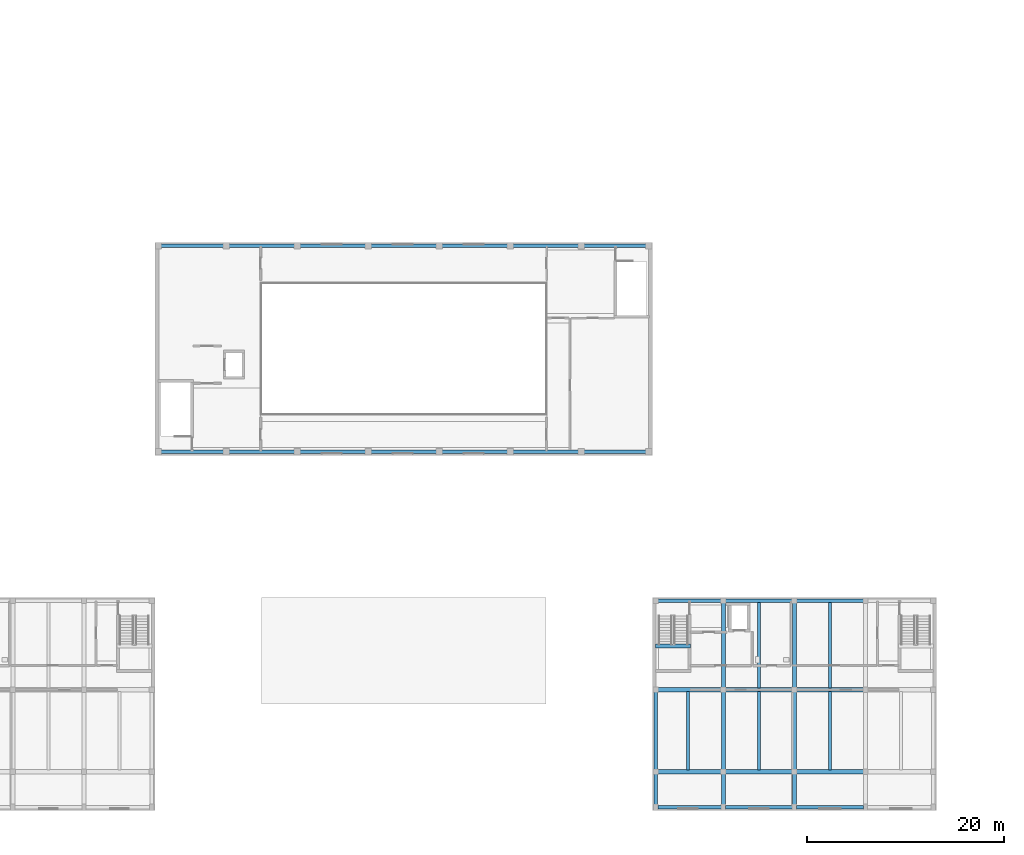
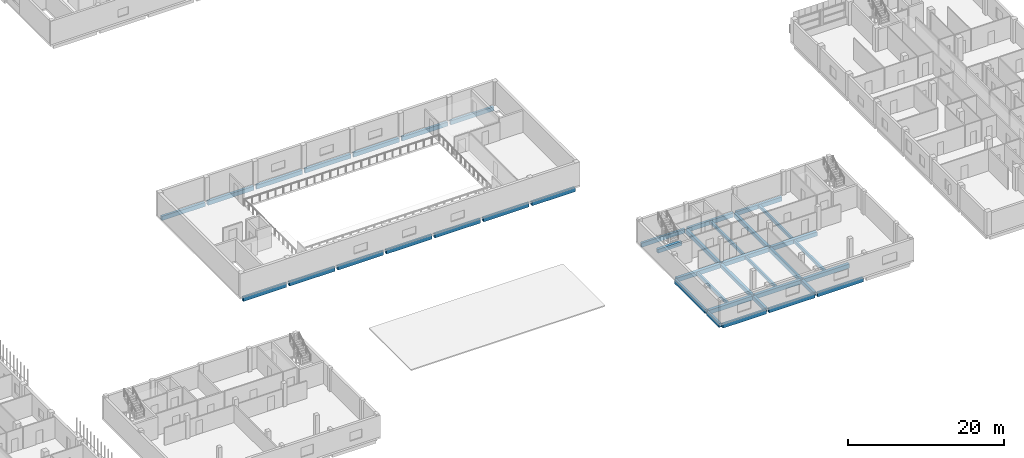
# One storey, part 12 of 73: 40 beams.
"""IFC4 building model written with IfcOpenShell, lengths in metres."""

import ifcopenshell
import ifcopenshell.guid

model = None  # the IFC model being written
_history = None  # IfcOwnerHistory: only IFC2X3 demands one
_inside = {}  # id of a spatial element -> (the spatial element, [elements in it])
_under = {}  # id of a project, library or spatial element -> (it, [spatial elements below it])
_declared = {}  # id of a project -> (the project, [libraries it declares])
_typed = {}  # id of a type object -> (the type object, [elements of that type])
_made_of = {}  # id of a material, layer set ... -> (it, [elements and type objects made of it])


def new_model(schema):
    """Start an empty IFC model of exactly this schema.

    Asked for "IFC4X3", IfcOpenShell would pick the latest addendum, in which some entities
    have other attributes; the version numbers below select the first issue.
    IFC2X3 requires an IfcOwnerHistory on every rooted entity: one is made here for all.
    """
    global model, _history
    if schema == "IFC4X3":
        model = ifcopenshell.file(schema_version=(4, 3, 0, 0))
    else:
        model = ifcopenshell.file(schema=schema)
    _inside.clear()
    _under.clear()
    _declared.clear()
    _typed.clear()
    _made_of.clear()
    _history = None
    if model.schema == "IFC2X3":
        org = make("IfcOrganization", Name="unknown")
        user = make(
            "IfcPersonAndOrganization",
            ThePerson=make("IfcPerson", FamilyName="unknown"),
            TheOrganization=org,
        )
        app = make(
            "IfcApplication",
            ApplicationDeveloper=org,
            Version="unknown",
            ApplicationFullName="unknown",
            ApplicationIdentifier="unknown",
        )
        _history = make(
            "IfcOwnerHistory",
            OwningUser=user,
            OwningApplication=app,
            ChangeAction="ADDED",
            CreationDate=0,
        )
    return model


def make(cls, **values):
    """One entity of the class cls with the attributes given. An attribute that is None is left unset."""
    return model.create_entity(
        cls, **{name: value for name, value in values.items() if value is not None}
    )


def rooted(cls, **values):
    """An entity with a GlobalId (a new one), such as an element, a storey or a relation."""
    return make(cls, GlobalId=ifcopenshell.guid.new(), OwnerHistory=_history, **values)


def si_unit(unit_type, name, prefix=None):
    """IfcSIUnit, for example si_unit("LENGTHUNIT", "METRE", prefix="MILLI")."""
    return make("IfcSIUnit", UnitType=unit_type, Prefix=prefix, Name=name)


def derived_unit(unit_type, elements):
    """IfcDerivedUnit: a product of units, each with its exponent."""
    return make(
        "IfcDerivedUnit",
        Elements=[
            make("IfcDerivedUnitElement", Unit=unit, Exponent=power)
            for unit, power in elements
        ],
        UnitType=unit_type,
    )


def assignment(units):
    """IfcUnitAssignment: the units of a project."""
    return None if units is None else make("IfcUnitAssignment", Units=units)


def point(xyz):
    """IfcCartesianPoint."""
    return None if xyz is None else make("IfcCartesianPoint", Coordinates=xyz)


def direction(xyz):
    """IfcDirection."""
    return None if xyz is None else make("IfcDirection", DirectionRatios=xyz)


def frame(location, z_axis=None, x_axis=None):
    """IfcAxis2Placement3D, a coordinate frame: its origin and axes. An axis left out is left unset."""
    return make(
        "IfcAxis2Placement3D",
        Location=point(location),
        Axis=direction(z_axis),
        RefDirection=direction(x_axis),
    )


def frame_2d(location, x_axis=None):
    """IfcAxis2Placement2D, a coordinate frame in the plane: its origin and x axis."""
    return make(
        "IfcAxis2Placement2D", Location=point(location), RefDirection=direction(x_axis)
    )


def origin():
    """The frame at (0, 0, 0) with its axes left unset."""
    return frame((0.0, 0.0, 0.0))


def origin_2d():
    """The frame at (0, 0) in the plane with its x axis left unset."""
    return frame_2d((0.0, 0.0))


def place(relative_to, where):
    """IfcLocalPlacement: puts the frame where relative to a parent placement (None: the world)."""
    return make(
        "IfcLocalPlacement", PlacementRelTo=relative_to, RelativePlacement=where
    )


def context(
    kind, dimensions, precision=None, world=None, true_north=None, identifier=None
):
    """IfcGeometricRepresentationContext, for example the 3D "Model" context."""
    return make(
        "IfcGeometricRepresentationContext",
        ContextIdentifier=identifier,
        ContextType=kind,
        CoordinateSpaceDimension=dimensions,
        Precision=precision,
        WorldCoordinateSystem=world,
        TrueNorth=true_north,
    )


def subcontext(parent, identifier, kind, view, scale=None):
    """IfcGeometricRepresentationSubContext, for example "Body" below "Model"."""
    return make(
        "IfcGeometricRepresentationSubContext",
        ContextIdentifier=identifier,
        ContextType=kind,
        ParentContext=parent,
        TargetScale=scale,
        TargetView=view,
    )


def project(units=None, contexts=None):
    """IfcProject with its units and contexts."""
    return rooted(
        "IfcProject",
        Name="project",
        RepresentationContexts=contexts,
        UnitsInContext=assignment(units),
    )


def spatial(cls, under=None, at=None, **own):
    """A site, building, storey or space (cls), placed at a placement, below another one or the project."""
    s = rooted(cls, ObjectPlacement=at, **own)
    if under is not None:
        _under.setdefault(under.id(), (under, []))[1].append(s)
    return s


def profile(cls, at=None, kind="AREA", **sizes):
    """A parametric profile (cls). Its sizes go by their IFC names, for example OverallWidth=200.0."""
    return make(cls, ProfileType=kind, Position=at, **sizes)


def rectangle(**sizes):
    """IfcRectangleProfileDef."""
    return profile("IfcRectangleProfileDef", **sizes)


def extrude(swept, where, along, depth):
    """IfcExtrudedAreaSolid: the profile swept, set in the frame where, extruded along a direction by depth."""
    return make(
        "IfcExtrudedAreaSolid",
        SweptArea=swept,
        Position=where,
        ExtrudedDirection=direction(along),
        Depth=depth,
    )


def shape(context_of_items, identifier, shape_type, items):
    """IfcShapeRepresentation: the items that make up one representation, for example the "Body"."""
    return make(
        "IfcShapeRepresentation",
        ContextOfItems=context_of_items,
        RepresentationIdentifier=identifier,
        RepresentationType=shape_type,
        Items=items,
    )


def material(Name=None, Category=None):
    """IfcMaterial."""
    return make("IfcMaterial", Name=Name, Category=Category)


def material_profile(
    of_material, cross_section, Name=None, Category=None, Priority=None
):
    """IfcMaterialProfile: a cross section and its material."""
    return make(
        "IfcMaterialProfile",
        Name=Name,
        Material=of_material,
        Profile=cross_section,
        Priority=Priority,
        Category=Category,
    )


def profile_set(profiles, Name=None, composite=None):
    """IfcMaterialProfileSet."""
    return make(
        "IfcMaterialProfileSet",
        Name=Name,
        MaterialProfiles=profiles,
        CompositeProfile=composite,
    )


def made_of(thing, what):
    """Note that an element or type object is made of a material, layer set ...; save() writes the relation."""
    if what is not None:
        _made_of.setdefault(what.id(), (what, []))[1].append(thing)
    return thing


def type_object(cls, material=None, **own):
    """A type object (cls), such as IfcWallType, which elements share."""
    return made_of(rooted(cls, **own), material)


def element(
    cls,
    number,
    at=None,
    inside=None,
    cuts=None,
    type_object=None,
    material=None,
    context=None,
    identifier="Body",
    shape_type=None,
    held_by="IfcProductDefinitionShape",
    body=None,
    shapes=None,
    **own,
):
    """One element of the class cls, such as IfcWall. Its Tag is "e" and its number.

    at: its placement. inside: the storey or other place that contains it. cuts: it is an
    opening in that element (IfcRelVoidsElement). A single representation is given by context,
    identifier, shape_type and body (its items); several are given by shapes. held_by: the class
    of the entity that holds the representations. save() writes the other relations.
    """
    e = rooted(cls, Tag="e%d" % number, ObjectPlacement=at, **own)
    if body is not None:
        shapes = [shape(context, identifier, shape_type, body)]
    if shapes is not None:
        e.Representation = make(held_by, Representations=shapes)
    if inside is not None:
        _inside.setdefault(inside.id(), (inside, []))[1].append(e)
    if cuts is not None:
        rooted(
            "IfcRelVoidsElement", RelatingBuildingElement=cuts, RelatedOpeningElement=e
        )
    if type_object is not None:
        _typed.setdefault(type_object.id(), (type_object, []))[1].append(e)
    return made_of(e, material)


def aggregate(whole, parts):
    """IfcRelAggregates: a whole, such as a stair, and the parts it consists of."""
    return rooted("IfcRelAggregates", RelatingObject=whole, RelatedObjects=parts)


def save(model, path):
    """Write the relations noted so far, then the file.

    IfcRelAggregates (storeys below a building ...), IfcRelContainedInSpatialStructure (elements
    in a storey), IfcRelDefinesByType, IfcRelAssociatesMaterial and IfcRelDeclares: one each for
    every whole, place, type object, material and project.
    """
    for whole, parts in _under.values():
        aggregate(whole, parts)
    for where, things in _inside.values():
        rooted(
            "IfcRelContainedInSpatialStructure",
            RelatedElements=things,
            RelatingStructure=where,
        )
    for kind, things in _typed.values():
        rooted("IfcRelDefinesByType", RelatedObjects=things, RelatingType=kind)
    for what, things in _made_of.values():
        rooted("IfcRelAssociatesMaterial", RelatedObjects=things, RelatingMaterial=what)
    for by, libraries in _declared.values():
        rooted("IfcRelDeclares", RelatingContext=by, RelatedDefinitions=libraries)
    model.write(path)


model = new_model("IFC4")

# Units and contexts
model_context = context("Model", 3, precision=1e-05, world=origin(), true_north=direction((0.0, 1.0)))
body_context = subcontext(model_context, "Body", "Model", "MODEL_VIEW")
ifc_project = project(units=[si_unit("LENGTHUNIT", "METRE"), si_unit("AREAUNIT", "SQUARE_METRE"), si_unit("VOLUMEUNIT", "CUBIC_METRE"), si_unit("PLANEANGLEUNIT", "RADIAN"), si_unit("MASSUNIT", "GRAM", prefix="KILO"), derived_unit("THERMALTRANSMITTANCEUNIT", [(si_unit("MASSUNIT", "GRAM", prefix="KILO"), 1), (si_unit("TIMEUNIT", "SECOND"), -3), (si_unit("THERMODYNAMICTEMPERATUREUNIT", "KELVIN"), -1)])], contexts=[model_context])

# Site, building, storey
site_placement = place(None, origin())
site = spatial("IfcSite", under=ifc_project, at=site_placement, CompositionType="ELEMENT")
building_placement = place(site_placement, origin())
building = spatial("IfcBuilding", under=site, at=building_placement, Name="Ochrekiln Boulevard Commons", CompositionType="ELEMENT")
storey_placement = place(building_placement, frame((0.0, 0.0, 4.89990234375)))
storey = spatial("IfcBuildingStorey", under=building, at=storey_placement, Name="L01", CompositionType="ELEMENT", Elevation=4.89990234375)

# Beams
ifc_material_1 = material(Name="Concrete C35/45", Category="concrete")
ifc_material_profile_1 = material_profile(ifc_material_1, rectangle(XDim=0.39990234375, YDim=0.60009765625, at=origin_2d()), Name="RC-BM-400x600")
ifc_profile_set_1 = profile_set([ifc_material_profile_1], Name="Concrete C35/45")
beam_type_1 = type_object("IfcBeamType", Name="BM-RC-400x600", PredefinedType="BEAM", material=ifc_profile_set_1)
beam_1_placement = place(storey_placement, frame((115.199951171875, 0.56005859375, -0.574951171875), z_axis=(0.0, 1.0, 0.0), x_axis=(-1.0, 0.0, 0.0)))
element("IfcBeam", 1, at=beam_1_placement, inside=storey, type_object=beam_type_1, Name="East Boulevard Shops and Arcade L01 Beam B-4060 Y19", PredefinedType="BEAM", context=body_context, shape_type="SweptSolid", body=[
    extrude(rectangle(XDim=0.39990234375, YDim=0.60009765625, at=origin_2d()), origin(), (0.0, 0.0, 1.0), 3.179931640625),
])
beam_2_placement = place(storey_placement, frame((115.199951171875, 4.159912109375, -0.574951171875), z_axis=(0.0, 1.0, 0.0), x_axis=(-1.0, 0.0, 0.0)))
element("IfcBeam", 2, at=beam_2_placement, inside=storey, type_object=beam_type_1, Name="East Boulevard Shops and Arcade L01 Beam B-4060 Y20", PredefinedType="BEAM", context=body_context, shape_type="SweptSolid", body=[
    extrude(rectangle(XDim=0.39990234375, YDim=0.60009765625, at=origin_2d()), origin(), (0.0, 0.0, 1.0), 7.880126953125),
])
beam_3_placement = place(storey_placement, frame((115.199951171875, 12.4599609375, -0.574951171875), z_axis=(0.0, 1.0, 0.0), x_axis=(-1.0, 0.0, 0.0)))
element("IfcBeam", 3, at=beam_3_placement, inside=storey, type_object=beam_type_1, Name="East Boulevard Shops and Arcade L01 Beam B-4060 Y21", PredefinedType="BEAM", context=body_context, shape_type="SweptSolid", body=[
    extrude(rectangle(XDim=0.39990234375, YDim=0.60009765625, at=origin_2d()), origin(), (0.0, 0.0, 1.0), 8.580078125),
])
beam_4_placement = place(storey_placement, frame((122.39990234375, 0.56005859375, -0.574951171875), z_axis=(0.0, 1.0, 0.0), x_axis=(-1.0, 0.0, 0.0)))
element("IfcBeam", 4, at=beam_4_placement, inside=storey, type_object=beam_type_1, Name="East Boulevard Shops and Arcade L01 Beam B-4060 Y22", PredefinedType="BEAM", context=body_context, shape_type="SweptSolid", body=[
    extrude(rectangle(XDim=0.39990234375, YDim=0.60009765625, at=origin_2d()), origin(), (0.0, 0.0, 1.0), 3.179931640625),
])
beam_5_placement = place(storey_placement, frame((122.39990234375, 4.159912109375, -0.574951171875), z_axis=(0.0, 1.0, 0.0), x_axis=(-1.0, 0.0, 0.0)))
element("IfcBeam", 5, at=beam_5_placement, inside=storey, type_object=beam_type_1, Name="East Boulevard Shops and Arcade L01 Beam B-4060 Y23", PredefinedType="BEAM", context=body_context, shape_type="SweptSolid", body=[
    extrude(rectangle(XDim=0.39990234375, YDim=0.60009765625, at=origin_2d()), origin(), (0.0, 0.0, 1.0), 7.880126953125),
])
beam_6_placement = place(storey_placement, frame((122.39990234375, 12.4599609375, -0.574951171875), z_axis=(0.0, 1.0, 0.0), x_axis=(-1.0, 0.0, 0.0)))
element("IfcBeam", 6, at=beam_6_placement, inside=storey, type_object=beam_type_1, Name="East Boulevard Shops and Arcade L01 Beam B-4060 Y24", PredefinedType="BEAM", context=body_context, shape_type="SweptSolid", body=[
    extrude(rectangle(XDim=0.39990234375, YDim=0.60009765625, at=origin_2d()), origin(), (0.0, 0.0, 1.0), 8.580078125),
])
beam_7_placement = place(storey_placement, frame((108.320068359375, 16.679931640625, 1.32763671875), z_axis=(1.0, 0.0, 0.0), x_axis=(0.0, 1.0, 0.0)))
element("IfcBeam", 7, at=beam_7_placement, inside=storey, type_object=beam_type_1, Name="Stair ST-E1 L01 Half-Landing Support Beam B-4060", PredefinedType="BEAM", context=body_context, shape_type="SweptSolid", body=[
    extrude(rectangle(XDim=0.39990234375, YDim=0.60009765625, at=origin_2d()), origin(), (0.0, 0.0, 1.0), 3.559814453125),
])
ifc_material_profile_2 = material_profile(ifc_material_1, rectangle(XDim=0.449951171875, YDim=0.64990234375, at=origin_2d()), Name="RC-BM-450x650")
ifc_profile_set_2 = profile_set([ifc_material_profile_2], Name="Concrete C35/45")
beam_type_2 = type_object("IfcBeamType", Name="BM-RC-450x650", PredefinedType="BEAM", material=ifc_profile_set_2)
beam_8_placement = place(storey_placement, frame((108.56005859375, 3.949951171875, -0.599853515625), z_axis=(1.0, 0.0, 0.0), x_axis=(0.0, 1.0, 0.0)))
element("IfcBeam", 8, at=beam_8_placement, inside=storey, type_object=beam_type_2, Name="East Boulevard Shops and Arcade L01 Beam B-4565 X5", PredefinedType="BEAM", context=body_context, shape_type="SweptSolid", body=[
    extrude(rectangle(XDim=0.449951171875, YDim=0.64990234375, at=origin_2d()), origin(), (0.0, 0.0, 1.0), 6.429931640625),
])
beam_9_placement = place(storey_placement, frame((115.409912109375, 3.949951171875, -0.599853515625), z_axis=(1.0, 0.0, 0.0), x_axis=(0.0, 1.0, 0.0)))
element("IfcBeam", 9, at=beam_9_placement, inside=storey, type_object=beam_type_2, Name="East Boulevard Shops and Arcade L01 Beam B-4565 X6", PredefinedType="BEAM", context=body_context, shape_type="SweptSolid", body=[
    extrude(rectangle(XDim=0.449951171875, YDim=0.64990234375, at=origin_2d()), origin(), (0.0, 0.0, 1.0), 6.780029296875),
])
beam_10_placement = place(storey_placement, frame((122.610107421875, 3.949951171875, -0.599853515625), z_axis=(1.0, 0.0, 0.0), x_axis=(0.0, 1.0, 0.0)))
element("IfcBeam", 10, at=beam_10_placement, inside=storey, type_object=beam_type_2, Name="East Boulevard Shops and Arcade L01 Beam B-4565 X7", PredefinedType="BEAM", context=body_context, shape_type="SweptSolid", body=[
    extrude(rectangle(XDim=0.449951171875, YDim=0.64990234375, at=origin_2d()), origin(), (0.0, 0.0, 1.0), 6.77978515625),
])
beam_11_placement = place(storey_placement, frame((108.56005859375, 12.25, -0.599853515625), z_axis=(1.0, 0.0, 0.0), x_axis=(0.0, 1.0, 0.0)))
element("IfcBeam", 11, at=beam_11_placement, inside=storey, type_object=beam_type_2, Name="East Boulevard Shops and Arcade L01 Beam B-4565 X9", PredefinedType="BEAM", context=body_context, shape_type="SweptSolid", body=[
    extrude(rectangle(XDim=0.449951171875, YDim=0.64990234375, at=origin_2d()), origin(), (0.0, 0.0, 1.0), 6.429931640625),
])
beam_12_placement = place(storey_placement, frame((115.409912109375, 12.25, -0.599853515625), z_axis=(1.0, 0.0, 0.0), x_axis=(0.0, 1.0, 0.0)))
element("IfcBeam", 12, at=beam_12_placement, inside=storey, type_object=beam_type_2, Name="East Boulevard Shops and Arcade L01 Beam B-4565 X10", PredefinedType="BEAM", context=body_context, shape_type="SweptSolid", body=[
    extrude(rectangle(XDim=0.449951171875, YDim=0.64990234375, at=origin_2d()), origin(), (0.0, 0.0, 1.0), 6.780029296875),
])
beam_13_placement = place(storey_placement, frame((122.610107421875, 12.25, -0.599853515625), z_axis=(1.0, 0.0, 0.0), x_axis=(0.0, 1.0, 0.0)))
element("IfcBeam", 13, at=beam_13_placement, inside=storey, type_object=beam_type_2, Name="East Boulevard Shops and Arcade L01 Beam B-4565 X11", PredefinedType="BEAM", context=body_context, shape_type="SweptSolid", body=[
    extrude(rectangle(XDim=0.449951171875, YDim=0.64990234375, at=origin_2d()), origin(), (0.0, 0.0, 1.0), 6.77978515625),
])
ifc_material_profile_3 = material_profile(ifc_material_1, rectangle(XDim=0.300048828125, YDim=0.449951171875, at=origin_2d()), Name="RC-JST-300x450")
ifc_profile_set_3 = profile_set([ifc_material_profile_3], Name="Concrete C35/45")
beam_type_3 = type_object("IfcBeamType", Name="JST-RC-300x450", PredefinedType="JOIST", material=ifc_profile_set_3)
for number, where, z_axis, x_axis, name in (
    (14, (111.60009765625, 4.1201171875, -0.5), (0.0, 1.0, 0.0), (-1.0, 0.0, 0.0), "Boulevard Arcade L01 Floor Joist J-3045 (19)"),
    (15, (118.800048828125, 4.1201171875, -0.5), (0.0, 1.0, 0.0), (-1.0, 0.0, 0.0), "Boulevard Arcade L01 Floor Joist J-3045 (20)"),
):
    element("IfcBeam", number, at=place(storey_placement, frame(where, z_axis=z_axis, x_axis=x_axis)), inside=storey, type_object=beam_type_3, Name=name, PredefinedType="JOIST", context=body_context, shape_type="SweptSolid", body=[
        extrude(rectangle(XDim=0.300048828125, YDim=0.449951171875, at=origin_2d()), origin(), (0.0, 0.0, 1.0), 7.9599609375),
    ])
beam_14_placement = place(storey_placement, frame((118.800048828125, 12.419921875, -0.5), z_axis=(0.0, 1.0, 0.0), x_axis=(-1.0, 0.0, 0.0)))
element("IfcBeam", 16, at=beam_14_placement, inside=storey, type_object=beam_type_3, Name="Boulevard Arcade L01 Floor Joist J-3045 (21)", PredefinedType="JOIST", context=body_context, shape_type="SweptSolid", body=[
    extrude(rectangle(XDim=0.300048828125, YDim=0.449951171875, at=origin_2d()), origin(), (0.0, 0.0, 1.0), 8.66015625),
])
beam_15_placement = place(storey_placement, frame((126.0, 4.1201171875, -0.5), z_axis=(0.0, 1.0, 0.0), x_axis=(-1.0, 0.0, 0.0)))
element("IfcBeam", 17, at=beam_15_placement, inside=storey, type_object=beam_type_3, Name="Boulevard Arcade L01 Floor Joist J-3045 (22)", PredefinedType="JOIST", context=body_context, shape_type="SweptSolid", body=[
    extrude(rectangle(XDim=0.300048828125, YDim=0.449951171875, at=origin_2d()), origin(), (0.0, 0.0, 1.0), 7.9599609375),
])
beam_16_placement = place(storey_placement, frame((126.0, 12.419921875, -0.5), z_axis=(0.0, 1.0, 0.0), x_axis=(-1.0, 0.0, 0.0)))
element("IfcBeam", 18, at=beam_16_placement, inside=storey, type_object=beam_type_3, Name="Boulevard Arcade L01 Floor Joist J-3045 (23)", PredefinedType="JOIST", context=body_context, shape_type="SweptSolid", body=[
    extrude(rectangle(XDim=0.300048828125, YDim=0.449951171875, at=origin_2d()), origin(), (0.0, 0.0, 1.0), 8.66015625),
])
ifc_material_2 = material(Name="Concrete C40/50", Category="concrete")
ifc_material_profile_4 = material_profile(ifc_material_2, rectangle(XDim=0.35009765625, YDim=0.64990234375, at=origin_2d()), Name="RC-SPN-350x650")
ifc_profile_set_4 = profile_set([ifc_material_profile_4], Name="Concrete C40/50")
beam_type_4 = type_object("IfcBeamType", Name="SPN-RC-350x650", PredefinedType="SPANDREL", material=ifc_profile_set_4)
beam_17_placement = place(storey_placement, frame((58.159912109375, 36.35009765625, -0.594970703125), z_axis=(1.0, 0.0, 0.0), x_axis=(0.0, 1.0, 0.0)))
element("IfcBeam", 19, at=beam_17_placement, inside=storey, type_object=beam_type_4, Name="Community Hall L01 Beam SP-3565 X1", PredefinedType="SPANDREL", context=body_context, shape_type="SweptSolid", body=[
    extrude(rectangle(XDim=0.35009765625, YDim=0.64990234375, at=origin_2d()), origin(), (0.0, 0.0, 1.0), 6.43017578125),
])
for number, where, z_axis, x_axis, name in (
    (20, (65.010009765625, 36.35009765625, -0.594970703125), (1.0, 0.0, 0.0), (0.0, 1.0, 0.0), "Community Hall L01 Beam SP-3565 X2"),
    (21, (72.2099609375, 36.35009765625, -0.594970703125), (1.0, 0.0, 0.0), (0.0, 1.0, 0.0), "Community Hall L01 Beam SP-3565 X3"),
    (22, (79.409912109375, 36.35009765625, -0.594970703125), (1.0, 0.0, 0.0), (0.0, 1.0, 0.0), "Community Hall L01 Beam SP-3565 X4"),
):
    element("IfcBeam", number, at=place(storey_placement, frame(where, z_axis=z_axis, x_axis=x_axis)), inside=storey, type_object=beam_type_4, Name=name, PredefinedType="SPANDREL", context=body_context, shape_type="SweptSolid", body=[
        extrude(rectangle(XDim=0.35009765625, YDim=0.64990234375, at=origin_2d()), origin(), (0.0, 0.0, 1.0), 6.780029296875),
    ])
beam_18_placement = place(storey_placement, frame((86.610107421875, 36.35009765625, -0.594970703125), z_axis=(1.0, 0.0, 0.0), x_axis=(0.0, 1.0, 0.0)))
element("IfcBeam", 23, at=beam_18_placement, inside=storey, type_object=beam_type_4, Name="Community Hall L01 Beam SP-3565 X5", PredefinedType="SPANDREL", context=body_context, shape_type="SweptSolid", body=[
    extrude(rectangle(XDim=0.35009765625, YDim=0.64990234375, at=origin_2d()), origin(), (0.0, 0.0, 1.0), 6.77978515625),
])
beam_19_placement = place(storey_placement, frame((93.81005859375, 36.35009765625, -0.594970703125), z_axis=(1.0, 0.0, 0.0), x_axis=(0.0, 1.0, 0.0)))
element("IfcBeam", 24, at=beam_19_placement, inside=storey, type_object=beam_type_4, Name="Community Hall L01 Beam SP-3565 X6", PredefinedType="SPANDREL", context=body_context, shape_type="SweptSolid", body=[
    extrude(rectangle(XDim=0.35009765625, YDim=0.64990234375, at=origin_2d()), origin(), (0.0, 0.0, 1.0), 6.780029296875),
])
beam_20_placement = place(storey_placement, frame((101.010009765625, 36.35009765625, -0.594970703125), z_axis=(1.0, 0.0, 0.0), x_axis=(0.0, 1.0, 0.0)))
element("IfcBeam", 25, at=beam_20_placement, inside=storey, type_object=beam_type_4, Name="Community Hall L01 Beam SP-3565 X7", PredefinedType="SPANDREL", context=body_context, shape_type="SweptSolid", body=[
    extrude(rectangle(XDim=0.35009765625, YDim=0.64990234375, at=origin_2d()), origin(), (0.0, 0.0, 1.0), 6.429931640625),
])
beam_21_placement = place(storey_placement, frame((58.159912109375, 57.25, -0.594970703125), z_axis=(1.0, 0.0, 0.0), x_axis=(0.0, 1.0, 0.0)))
element("IfcBeam", 26, at=beam_21_placement, inside=storey, type_object=beam_type_4, Name="Community Hall L01 Beam SP-3565 X8", PredefinedType="SPANDREL", context=body_context, shape_type="SweptSolid", body=[
    extrude(rectangle(XDim=0.35009765625, YDim=0.64990234375, at=origin_2d()), origin(), (0.0, 0.0, 1.0), 6.43017578125),
])
for number, where, z_axis, x_axis, name in (
    (27, (65.010009765625, 57.25, -0.594970703125), (1.0, 0.0, 0.0), (0.0, 1.0, 0.0), "Community Hall L01 Beam SP-3565 X9"),
    (28, (72.2099609375, 57.25, -0.594970703125), (1.0, 0.0, 0.0), (0.0, 1.0, 0.0), "Community Hall L01 Beam SP-3565 X10"),
    (29, (79.409912109375, 57.25, -0.594970703125), (1.0, 0.0, 0.0), (0.0, 1.0, 0.0), "Community Hall L01 Beam SP-3565 X11"),
):
    element("IfcBeam", number, at=place(storey_placement, frame(where, z_axis=z_axis, x_axis=x_axis)), inside=storey, type_object=beam_type_4, Name=name, PredefinedType="SPANDREL", context=body_context, shape_type="SweptSolid", body=[
        extrude(rectangle(XDim=0.35009765625, YDim=0.64990234375, at=origin_2d()), origin(), (0.0, 0.0, 1.0), 6.780029296875),
    ])
beam_22_placement = place(storey_placement, frame((86.610107421875, 57.25, -0.594970703125), z_axis=(1.0, 0.0, 0.0), x_axis=(0.0, 1.0, 0.0)))
element("IfcBeam", 30, at=beam_22_placement, inside=storey, type_object=beam_type_4, Name="Community Hall L01 Beam SP-3565 X12", PredefinedType="SPANDREL", context=body_context, shape_type="SweptSolid", body=[
    extrude(rectangle(XDim=0.35009765625, YDim=0.64990234375, at=origin_2d()), origin(), (0.0, 0.0, 1.0), 6.77978515625),
])
beam_23_placement = place(storey_placement, frame((93.81005859375, 57.25, -0.594970703125), z_axis=(1.0, 0.0, 0.0), x_axis=(0.0, 1.0, 0.0)))
element("IfcBeam", 31, at=beam_23_placement, inside=storey, type_object=beam_type_4, Name="Community Hall L01 Beam SP-3565 X13", PredefinedType="SPANDREL", context=body_context, shape_type="SweptSolid", body=[
    extrude(rectangle(XDim=0.35009765625, YDim=0.64990234375, at=origin_2d()), origin(), (0.0, 0.0, 1.0), 6.780029296875),
])
for number, where, z_axis, x_axis, name in (
    (32, (101.010009765625, 57.25, -0.594970703125), (1.0, 0.0, 0.0), (0.0, 1.0, 0.0), "Community Hall L01 Beam SP-3565 X14"),
    (33, (108.56005859375, 0.35009765625, -0.599853515625), (1.0, 0.0, 0.0), (0.0, 1.0, 0.0), "East Boulevard Shops and Arcade L01 Beam SP-3565 X1"),
):
    element("IfcBeam", number, at=place(storey_placement, frame(where, z_axis=z_axis, x_axis=x_axis)), inside=storey, type_object=beam_type_4, Name=name, PredefinedType="SPANDREL", context=body_context, shape_type="SweptSolid", body=[
        extrude(rectangle(XDim=0.35009765625, YDim=0.64990234375, at=origin_2d()), origin(), (0.0, 0.0, 1.0), 6.429931640625),
    ])
beam_24_placement = place(storey_placement, frame((115.409912109375, 0.35009765625, -0.599853515625), z_axis=(1.0, 0.0, 0.0), x_axis=(0.0, 1.0, 0.0)))
element("IfcBeam", 34, at=beam_24_placement, inside=storey, type_object=beam_type_4, Name="East Boulevard Shops and Arcade L01 Beam SP-3565 X2", PredefinedType="SPANDREL", context=body_context, shape_type="SweptSolid", body=[
    extrude(rectangle(XDim=0.35009765625, YDim=0.64990234375, at=origin_2d()), origin(), (0.0, 0.0, 1.0), 6.780029296875),
])
beam_25_placement = place(storey_placement, frame((122.610107421875, 0.35009765625, -0.599853515625), z_axis=(1.0, 0.0, 0.0), x_axis=(0.0, 1.0, 0.0)))
element("IfcBeam", 35, at=beam_25_placement, inside=storey, type_object=beam_type_4, Name="East Boulevard Shops and Arcade L01 Beam SP-3565 X3", PredefinedType="SPANDREL", context=body_context, shape_type="SweptSolid", body=[
    extrude(rectangle(XDim=0.35009765625, YDim=0.64990234375, at=origin_2d()), origin(), (0.0, 0.0, 1.0), 6.77978515625),
])
beam_26_placement = place(storey_placement, frame((108.56005859375, 21.25, -0.599853515625), z_axis=(1.0, 0.0, 0.0), x_axis=(0.0, 1.0, 0.0)))
element("IfcBeam", 36, at=beam_26_placement, inside=storey, type_object=beam_type_4, Name="East Boulevard Shops and Arcade L01 Beam SP-3565 X13", PredefinedType="SPANDREL", context=body_context, shape_type="SweptSolid", body=[
    extrude(rectangle(XDim=0.35009765625, YDim=0.64990234375, at=origin_2d()), origin(), (0.0, 0.0, 1.0), 6.429931640625),
])
beam_27_placement = place(storey_placement, frame((115.409912109375, 21.25, -0.599853515625), z_axis=(1.0, 0.0, 0.0), x_axis=(0.0, 1.0, 0.0)))
element("IfcBeam", 37, at=beam_27_placement, inside=storey, type_object=beam_type_4, Name="East Boulevard Shops and Arcade L01 Beam SP-3565 X14", PredefinedType="SPANDREL", context=body_context, shape_type="SweptSolid", body=[
    extrude(rectangle(XDim=0.35009765625, YDim=0.64990234375, at=origin_2d()), origin(), (0.0, 0.0, 1.0), 6.780029296875),
])
beam_28_placement = place(storey_placement, frame((122.610107421875, 21.25, -0.599853515625), z_axis=(1.0, 0.0, 0.0), x_axis=(0.0, 1.0, 0.0)))
element("IfcBeam", 38, at=beam_28_placement, inside=storey, type_object=beam_type_4, Name="East Boulevard Shops and Arcade L01 Beam SP-3565 X15", PredefinedType="SPANDREL", context=body_context, shape_type="SweptSolid", body=[
    extrude(rectangle(XDim=0.35009765625, YDim=0.64990234375, at=origin_2d()), origin(), (0.0, 0.0, 1.0), 6.77978515625),
])
beam_29_placement = place(storey_placement, frame((108.35009765625, 0.56005859375, -0.599853515625), z_axis=(0.0, 1.0, 0.0), x_axis=(-1.0, 0.0, 0.0)))
element("IfcBeam", 39, at=beam_29_placement, inside=storey, type_object=beam_type_4, Name="East Boulevard Shops and Arcade L01 Beam SP-3565 Y17", PredefinedType="SPANDREL", context=body_context, shape_type="SweptSolid", body=[
    extrude(rectangle(XDim=0.35009765625, YDim=0.64990234375, at=origin_2d()), origin(), (0.0, 0.0, 1.0), 3.179931640625),
])
beam_30_placement = place(storey_placement, frame((108.35009765625, 4.159912109375, -0.599853515625), z_axis=(0.0, 1.0, 0.0), x_axis=(-1.0, 0.0, 0.0)))
element("IfcBeam", 40, at=beam_30_placement, inside=storey, type_object=beam_type_4, Name="East Boulevard Shops and Arcade L01 Beam SP-3565 Y18", PredefinedType="SPANDREL", context=body_context, shape_type="SweptSolid", body=[
    extrude(rectangle(XDim=0.35009765625, YDim=0.64990234375, at=origin_2d()), origin(), (0.0, 0.0, 1.0), 7.880126953125),
])

save(model, "model.ifc")
